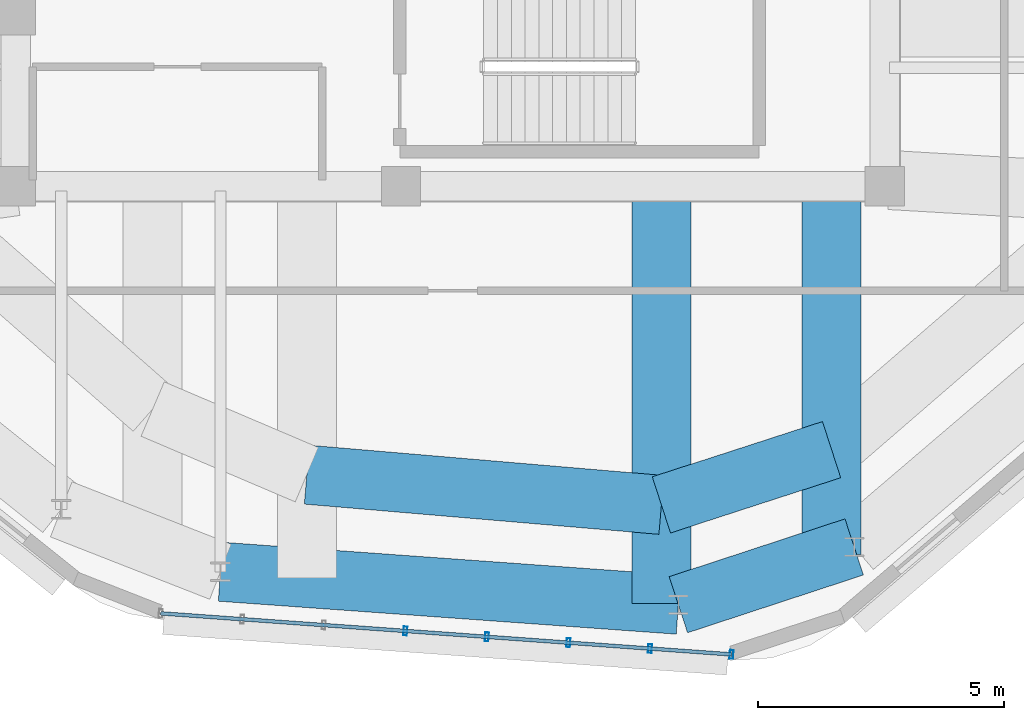
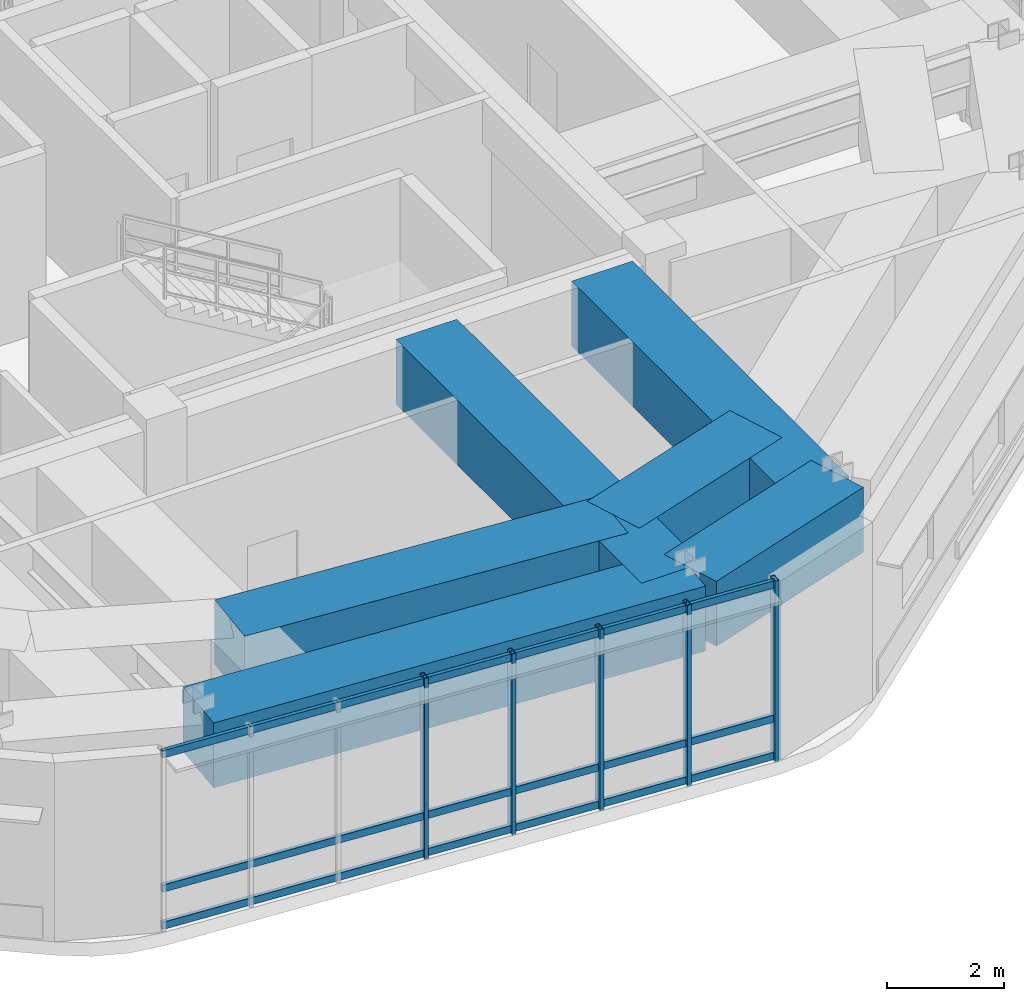
# One storey, part 4 of 12: 8 members, 6 beams, 1 element without a shape of its own.
"""IFC4 building model written with IfcOpenShell, lengths in metres."""

from ifc_helpers import new_model, si_unit, direction, frame, origin, origin_2d, place, context, subcontext, project, spatial, rectangle, hollow_rectangle, extrude, material, material_profile, profile_set, type_object, element, aggregate, save


model = new_model("IFC4")

# Units and contexts
model_context = context("Model", 3, precision=1e-05, world=origin(), true_north=direction((0.0, 1.0)))
body_context = subcontext(model_context, "Body", "Model", "MODEL_VIEW")
ifc_project = project(units=[si_unit("LENGTHUNIT", "METRE"), si_unit("AREAUNIT", "SQUARE_METRE"), si_unit("VOLUMEUNIT", "CUBIC_METRE"), si_unit("PLANEANGLEUNIT", "RADIAN"), si_unit("MASSUNIT", "GRAM", prefix="KILO")], contexts=[model_context])

# Site, building, storey
site_placement = place(None, origin())
site = spatial("IfcSite", under=ifc_project, at=site_placement, CompositionType="ELEMENT")
building_placement = place(site_placement, origin())
building = spatial("IfcBuilding", under=site, at=building_placement, Name="Zulverin Broadcast Headquarters", CompositionType="ELEMENT")
storey_placement = place(building_placement, frame((0.0, 0.0, 325.39990234375)))
storey = spatial("IfcBuildingStorey", under=building, at=storey_placement, Name="C4", CompositionType="ELEMENT", Elevation=325.39990234375)

# Beams
ifc_material_1 = material(Name="Concrete C50/60", Category="concrete")
ifc_material_profile_1 = material_profile(ifc_material_1, rectangle(XDim=1.199951171875, YDim=1.35009765625, at=origin_2d()), Name="Concrete C50/60", Category="concrete")
ifc_profile_set_1 = profile_set([ifc_material_profile_1], Name="Concrete C50/60")
beam_type = type_object("IfcBeamType", Name="BM-TG-CRN-1350", PredefinedType="USERDEFINED", material=ifc_profile_set_1)
beam_1_placement = place(storey_placement, frame((34.783447265625, 9.493408203125, 3.045166015625), z_axis=(0.997419339548, -0.071795968525, 0.0), x_axis=(0.071795968525, 0.997419339548, 0.0)))
element("IfcBeam", 1, at=beam_1_placement, inside=storey, type_object=beam_type, Name="C4 Perimeter Transfer Ring Girder SP-01", ObjectType="TRANSFER GIRDER", PredefinedType="USERDEFINED", context=body_context, shape_type="SweptSolid", body=[
    extrude(rectangle(XDim=1.199951171875, YDim=1.35009765625, at=origin_2d()), origin(), (0.0, 0.0, 1.0), 9.32421875),
])
beam_2_placement = place(storey_placement, frame((44.08349609375, 8.823974609375, 3.045166015625), z_axis=(0.950070258363, 0.312036062299, 0.0), x_axis=(-0.312036062299, 0.950070258363, 0.0)))
element("IfcBeam", 2, at=beam_2_placement, inside=storey, type_object=beam_type, Name="C4 Perimeter Transfer Ring Girder SP-02", ObjectType="TRANSFER GIRDER", PredefinedType="USERDEFINED", context=body_context, shape_type="SweptSolid", body=[
    extrude(rectangle(XDim=1.199951171875, YDim=1.35009765625, at=origin_2d()), origin(), (0.0, 0.0, 1.0), 3.759521484375),
])
beam_3_placement = place(storey_placement, frame((36.53759765625, 11.46484375, 3.045166015625), z_axis=(0.99639077732, -0.084884738742, 0.0), x_axis=(0.084884738742, 0.99639077732, 0.0)))
element("IfcBeam", 3, at=beam_3_placement, inside=storey, type_object=beam_type, Name="C5 Step Transfer Ring Girder TGR-01", ObjectType="TRANSFER GIRDER", PredefinedType="USERDEFINED", context=body_context, shape_type="SweptSolid", body=[
    extrude(rectangle(XDim=1.199951171875, YDim=1.35009765625, at=origin_2d()), origin(), (0.0, 0.0, 1.0), 7.227783203125),
])
beam_4_placement = place(storey_placement, frame((43.7392578125, 17.22509765625, 3.045166015625), z_axis=(0.0, -1.0, 0.0), x_axis=(1.0, 0.0, 0.0)))
element("IfcBeam", 4, at=beam_4_placement, inside=storey, type_object=beam_type, Name="C5 Step Transfer Girder TG-02", ObjectType="TRANSFER GIRDER", PredefinedType="USERDEFINED", context=body_context, shape_type="SweptSolid", body=[
    extrude(rectangle(XDim=1.199951171875, YDim=1.35009765625, at=origin_2d()), origin(), (0.0, 0.0, 1.0), 8.376220703125),
])
beam_5_placement = place(storey_placement, frame((43.7392578125, 10.851318359375, 3.045166015625), z_axis=(0.951146067617, 0.308741247741, 0.0), x_axis=(-0.308741247741, 0.951146067617, 0.0)))
element("IfcBeam", 5, at=beam_5_placement, inside=storey, type_object=beam_type, Name="C5 Step Transfer Ring Girder TGR-02", ObjectType="TRANSFER GIRDER", PredefinedType="USERDEFINED", context=body_context, shape_type="SweptSolid", body=[
    extrude(rectangle(XDim=1.199951171875, YDim=1.35009765625, at=origin_2d()), origin(), (0.0, 0.0, 1.0), 3.63427734375),
])
beam_6_placement = place(storey_placement, frame((47.196044921875, 17.22509765625, 3.045166015625), z_axis=(0.0, -1.0, 0.0), x_axis=(1.0, 0.0, 0.0)))
element("IfcBeam", 6, at=beam_6_placement, inside=storey, type_object=beam_type, Name="C5 Step Transfer Girder TG-03", ObjectType="TRANSFER GIRDER", PredefinedType="USERDEFINED", context=body_context, shape_type="SweptSolid", body=[
    extrude(rectangle(XDim=1.199951171875, YDim=1.35009765625, at=origin_2d()), origin(), (0.0, 0.0, 1.0), 7.37890625),
])

# Curtain wall, members
ifc_material_2 = material(Name="Crown damper-hall structural glass curtain wall", Category="glass")
curtain_wall_type = type_object("IfcCurtainWallType", Name="CW-CRN", PredefinedType="USERDEFINED", material=ifc_material_2)
curtain_wall_placement = place(storey_placement, origin())
curtain_wall = element("IfcCurtainWall", 7, at=curtain_wall_placement, inside=storey, type_object=curtain_wall_type, Name="C4 Unitised Curtain Wall CW-C4-E1", ObjectType="UNITISED CURTAIN WALL", PredefinedType="USERDEFINED")
ifc_material_3 = material(Name="Anodized pale-metal aluminium alloy 6063-T6", Category="aluminium")
ifc_material_profile_2 = material_profile(ifc_material_3, hollow_rectangle(XDim=0.074951171875, YDim=0.179931640625, WallThickness=0.0048828125, at=origin_2d()), Name="Anodized pale-metal aluminium alloy 6063-T6", Category="aluminium")
ifc_profile_set_2 = profile_set([ifc_material_profile_2], Name="Anodized pale-metal aluminium alloy 6063-T6")
member_type_1 = type_object("IfcMemberType", Name="CW-MUL-180", PredefinedType="MULLION", material=ifc_profile_set_2)
member_1_placement = place(storey_placement, frame((38.53857421875, 8.29052734375, -0.02978515625), z_axis=(0.0, 0.0, 1.0), x_axis=(0.997420903458, -0.071774238726, 0.0)))
member_1 = element("IfcMember", 8, at=member_1_placement, type_object=member_type_1, Name="CW-C4-E1 Mullion 03", PredefinedType="MULLION", context=body_context, shape_type="SweptSolid", body=[
    extrude(hollow_rectangle(XDim=0.074951171875, YDim=0.179931640625, WallThickness=0.0048828125, at=origin_2d()), origin(), (0.0, 0.0, 1.0), 3.77978515625),
])
member_2_placement = place(storey_placement, frame((40.19482421875, 8.17138671875, -0.02978515625), z_axis=(0.0, 0.0, 1.0), x_axis=(0.997420903458, -0.071774238726, 0.0)))
member_2 = element("IfcMember", 9, at=member_2_placement, type_object=member_type_1, Name="CW-C4-E1 Mullion 04", PredefinedType="MULLION", context=body_context, shape_type="SweptSolid", body=[
    extrude(hollow_rectangle(XDim=0.074951171875, YDim=0.179931640625, WallThickness=0.0048828125, at=origin_2d()), origin(), (0.0, 0.0, 1.0), 3.77978515625),
])
member_3_placement = place(storey_placement, frame((41.85107421875, 8.05224609375, -0.02978515625), z_axis=(0.0, 0.0, 1.0), x_axis=(0.997420903458, -0.071774238726, 0.0)))
member_3 = element("IfcMember", 10, at=member_3_placement, type_object=member_type_1, Name="CW-C4-E1 Mullion 05", PredefinedType="MULLION", context=body_context, shape_type="SweptSolid", body=[
    extrude(hollow_rectangle(XDim=0.074951171875, YDim=0.179931640625, WallThickness=0.0048828125, at=origin_2d()), origin(), (0.0, 0.0, 1.0), 3.77978515625),
])
member_4_placement = place(storey_placement, frame((43.50732421875, 7.93310546875, -0.02978515625), z_axis=(0.0, 0.0, 1.0), x_axis=(0.997420903458, -0.071774238726, 0.0)))
member_4 = element("IfcMember", 11, at=member_4_placement, type_object=member_type_1, Name="CW-C4-E1 Mullion 06", PredefinedType="MULLION", context=body_context, shape_type="SweptSolid", body=[
    extrude(hollow_rectangle(XDim=0.074951171875, YDim=0.179931640625, WallThickness=0.0048828125, at=origin_2d()), origin(), (0.0, 0.0, 1.0), 3.77978515625),
])
member_5_placement = place(storey_placement, frame((45.163818359375, 7.81396484375, -0.02978515625), z_axis=(0.0, 0.0, 1.0), x_axis=(0.997420903458, -0.071774238726, 0.0)))
member_5 = element("IfcMember", 12, at=member_5_placement, type_object=member_type_1, Name="CW-C4-E1 Mullion 07", PredefinedType="MULLION", context=body_context, shape_type="SweptSolid", body=[
    extrude(hollow_rectangle(XDim=0.074951171875, YDim=0.179931640625, WallThickness=0.0048828125, at=origin_2d()), origin(), (0.0, 0.0, 1.0), 3.77978515625),
])
ifc_material_profile_3 = material_profile(ifc_material_3, hollow_rectangle(XDim=0.074951171875, YDim=0.14990234375, WallThickness=0.0048828125, at=origin_2d()), Name="Anodized pale-metal aluminium alloy 6063-T6", Category="aluminium")
ifc_profile_set_3 = profile_set([ifc_material_profile_3], Name="Anodized pale-metal aluminium alloy 6063-T6")
member_type_2 = type_object("IfcMemberType", Name="CW-TRN-150", PredefinedType="USERDEFINED", material=ifc_profile_set_3)
member_6_placement = place(storey_placement, frame((33.569580078125, 8.648193359375, 0.0751953125), z_axis=(0.997421463252, -0.071766459043, 0.0), x_axis=(0.071766459043, 0.997421463252, 0.0)))
member_6 = element("IfcMember", 13, at=member_6_placement, type_object=member_type_2, Name="CW-C4-E1 Transom 0", ObjectType="TRANSOM", PredefinedType="USERDEFINED", context=body_context, shape_type="SweptSolid", body=[
    extrude(hollow_rectangle(XDim=0.074951171875, YDim=0.14990234375, WallThickness=0.0048828125, at=origin_2d()), origin(), (0.0, 0.0, 1.0), 11.624267578125),
])
member_7_placement = place(storey_placement, frame((33.569580078125, 8.648193359375, 0.85009765625), z_axis=(0.997421463252, -0.071766459043, 0.0), x_axis=(0.071766459043, 0.997421463252, 0.0)))
member_7 = element("IfcMember", 14, at=member_7_placement, type_object=member_type_2, Name="CW-C4-E1 Transom 1", ObjectType="TRANSOM", PredefinedType="USERDEFINED", context=body_context, shape_type="SweptSolid", body=[
    extrude(hollow_rectangle(XDim=0.074951171875, YDim=0.14990234375, WallThickness=0.0048828125, at=origin_2d()), origin(), (0.0, 0.0, 1.0), 11.624267578125),
])
member_8_placement = place(storey_placement, frame((33.569580078125, 8.648193359375, 3.64501953125), z_axis=(0.997421463252, -0.071766459043, 0.0), x_axis=(0.071766459043, 0.997421463252, 0.0)))
member_8 = element("IfcMember", 15, at=member_8_placement, type_object=member_type_2, Name="CW-C4-E1 Transom 2", ObjectType="TRANSOM", PredefinedType="USERDEFINED", context=body_context, shape_type="SweptSolid", body=[
    extrude(hollow_rectangle(XDim=0.074951171875, YDim=0.14990234375, WallThickness=0.0048828125, at=origin_2d()), origin(), (0.0, 0.0, 1.0), 11.624267578125),
])
aggregate(curtain_wall, [member_1, member_2, member_3, member_4, member_5, member_6, member_7, member_8])

save(model, "model.ifc")
